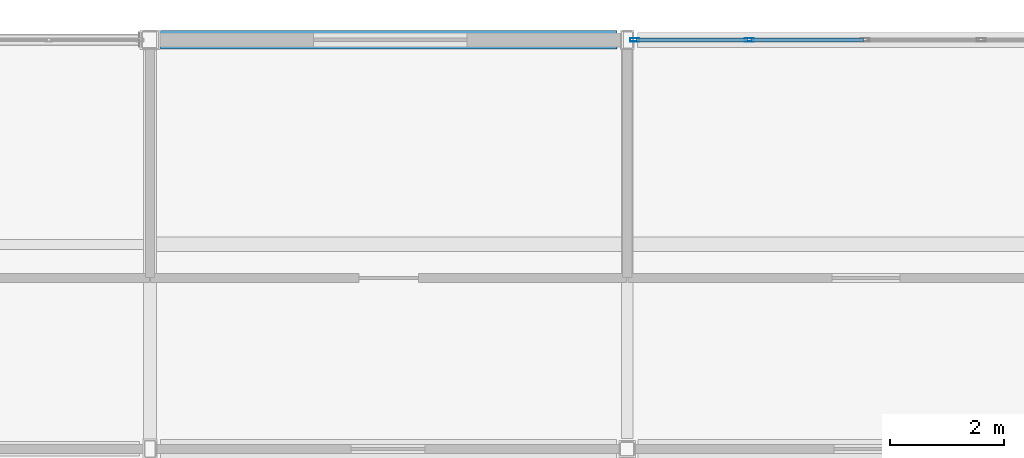
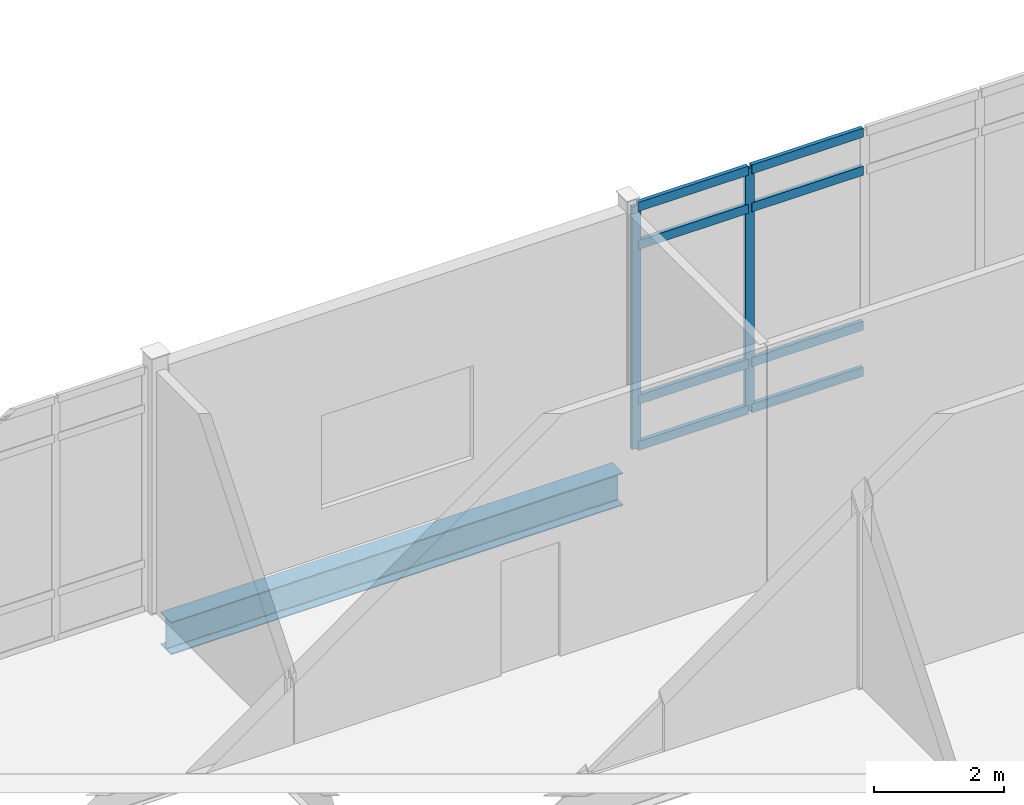
# One storey, part 68 of 153: 10 members, 1 beam, 1 element without a shape of its own.
"""IFC4 building model written with IfcOpenShell, lengths in metres."""

from ifc_helpers import new_model, si_unit, direction, frame, origin, origin_2d, place, context, subcontext, project, spatial, hollow_rectangle, i_section, extrude, material, layer, layer_set, material_profile, profile_set, type_object, element, aggregate, save


model = new_model("IFC4")

# Units and contexts
model_context = context("Model", 3, precision=1e-05, world=origin(), true_north=direction((0.0, 1.0)))
body_context = subcontext(model_context, "Body", "Model", "MODEL_VIEW")
ifc_project = project(units=[si_unit("LENGTHUNIT", "METRE"), si_unit("AREAUNIT", "SQUARE_METRE"), si_unit("VOLUMEUNIT", "CUBIC_METRE"), si_unit("PLANEANGLEUNIT", "RADIAN"), si_unit("MASSUNIT", "GRAM", prefix="KILO")], contexts=[model_context])

# Site, building, storey
site_placement = place(None, origin())
site = spatial("IfcSite", under=ifc_project, at=site_placement, CompositionType="ELEMENT")
building_placement = place(site_placement, origin())
building = spatial("IfcBuilding", under=site, at=building_placement, Name="Calvrana Isthmian Art Gallery", CompositionType="ELEMENT")
storey_placement = place(building_placement, frame((0.0, 0.0, 10.199951171875)))
storey = spatial("IfcBuildingStorey", under=building, at=storey_placement, Name="L02", CompositionType="ELEMENT", Elevation=10.199951171875)

# Beam
ifc_material_1 = material(Name="Steel ASTM A992 Gr 50", Category="steel")
ifc_material_profile_1 = material_profile(ifc_material_1, i_section(OverallWidth=0.324951171875, OverallDepth=0.612060546875, WebThickness=0.0126953125, FlangeThickness=0.01904296875, FilletRadius=0.02197265625, at=origin_2d()), Name="W24X104")
ifc_profile_set_1 = profile_set([ifc_material_profile_1], Name="Steel ASTM A992 Gr 50")
beam_type = type_object("IfcBeamType", Name="BM-G-W24X104", PredefinedType="BEAM", material=ifc_profile_set_1)
beam_placement = place(storey_placement, frame((30.185546875, 112.800048828125, -0.571044921875), z_axis=(1.0, 0.0, 0.0), x_axis=(0.0, 1.0, 0.0)))
element("IfcBeam", 1, at=beam_placement, inside=storey, type_object=beam_type, Name="Girder X L02 05-06/P", PredefinedType="BEAM", context=body_context, shape_type="SweptSolid", body=[
    extrude(i_section(OverallWidth=0.324951171875, OverallDepth=0.612060546875, WebThickness=0.0126953125, FlangeThickness=0.01904296875, FilletRadius=0.02197265625, at=origin_2d()), origin(), (0.0, 0.0, 1.0), 8.030517578125),
])

# Curtain wall, members
ifc_material_2 = material(Name="Anodized bronze aluminium 6063-T6", Category="aluminium")
ifc_layer = layer(ifc_material_2, 0.179931640625, Name="Anodized bronze aluminium 6063-T6")
ifc_layer_set = layer_set([ifc_layer], Name="Anodized bronze aluminium 6063-T6")
curtain_wall_type = type_object("IfcCurtainWallType", Name="CW-UNIT-082X46", PredefinedType="USERDEFINED", material=ifc_layer_set)
curtain_wall_placement = place(storey_placement, origin())
curtain_wall = element("IfcCurtainWall", 2, at=curtain_wall_placement, inside=storey, type_object=curtain_wall_type, Name="Curtain wall CW-163", ObjectType="UNITISED CURTAIN WALL", PredefinedType="USERDEFINED")
ifc_material_profile_2 = material_profile(ifc_material_2, hollow_rectangle(XDim=0.06005859375, YDim=0.159912109375, WallThickness=0.00390625, at=origin_2d()), Name="CWM60X160")
ifc_profile_set_2 = profile_set([ifc_material_profile_2], Name="Anodized bronze aluminium 6063-T6")
member_type_1 = type_object("IfcMemberType", Name="CWM-CWM60X160", PredefinedType="MULLION", material=ifc_profile_set_2)
member_1_placement = place(storey_placement, frame((38.531494140625, 112.800048828125, 0.0), z_axis=(0.0, 0.0, 1.0), x_axis=(0.0, 1.0, 0.0)))
member_1 = element("IfcMember", 3, at=member_1_placement, type_object=member_type_1, Name="CW-163 mullion 1", PredefinedType="MULLION", context=body_context, shape_type="SweptSolid", body=[
    extrude(hollow_rectangle(XDim=0.06005859375, YDim=0.159912109375, WallThickness=0.00390625, at=origin_2d()), origin(), (0.0, 0.0, 1.0), 4.56005859375),
])
member_2_placement = place(storey_placement, frame((40.54443359375, 112.800048828125, 0.0), z_axis=(0.0, 0.0, 1.0), x_axis=(0.0, 1.0, 0.0)))
member_2 = element("IfcMember", 4, at=member_2_placement, type_object=member_type_1, Name="CW-163 mullion 2", PredefinedType="MULLION", context=body_context, shape_type="SweptSolid", body=[
    extrude(hollow_rectangle(XDim=0.06005859375, YDim=0.159912109375, WallThickness=0.00390625, at=origin_2d()), origin(), (0.0, 0.0, 1.0), 4.56005859375),
])
ifc_material_profile_3 = material_profile(ifc_material_2, hollow_rectangle(XDim=0.070068359375, YDim=0.169921875, WallThickness=0.00439453125, at=origin_2d()), Name="CWT70X170")
ifc_profile_set_3 = profile_set([ifc_material_profile_3], Name="Anodized bronze aluminium 6063-T6")
member_type_2 = type_object("IfcMemberType", Name="CWT-CWT70X170", PredefinedType="USERDEFINED", material=ifc_profile_set_3)
member_3_placement = place(storey_placement, frame((38.5615234375, 112.800048828125, 0.03515625), z_axis=(1.0, 0.0, 0.0), x_axis=(0.0, 1.0, 0.0)))
member_3 = element("IfcMember", 5, at=member_3_placement, type_object=member_type_2, Name="CW-163 transom 1.1", ObjectType="TRANSOM", PredefinedType="USERDEFINED", context=body_context, shape_type="SweptSolid", body=[
    extrude(hollow_rectangle(XDim=0.070068359375, YDim=0.169921875, WallThickness=0.00439453125, at=origin_2d()), origin(), (0.0, 0.0, 1.0), 1.952880859375),
])
member_4_placement = place(storey_placement, frame((38.5615234375, 112.800048828125, 0.900146484375), z_axis=(1.0, 0.0, 0.0), x_axis=(0.0, 1.0, 0.0)))
member_4 = element("IfcMember", 6, at=member_4_placement, type_object=member_type_2, Name="CW-163 transom 1.2", ObjectType="TRANSOM", PredefinedType="USERDEFINED", context=body_context, shape_type="SweptSolid", body=[
    extrude(hollow_rectangle(XDim=0.070068359375, YDim=0.169921875, WallThickness=0.00439453125, at=origin_2d()), origin(), (0.0, 0.0, 1.0), 1.952880859375),
])
member_5_placement = place(storey_placement, frame((38.5615234375, 112.800048828125, 3.81005859375), z_axis=(1.0, 0.0, 0.0), x_axis=(0.0, 1.0, 0.0)))
member_5 = element("IfcMember", 7, at=member_5_placement, type_object=member_type_2, Name="CW-163 transom 1.3", ObjectType="TRANSOM", PredefinedType="USERDEFINED", context=body_context, shape_type="SweptSolid", body=[
    extrude(hollow_rectangle(XDim=0.070068359375, YDim=0.169921875, WallThickness=0.00439453125, at=origin_2d()), origin(), (0.0, 0.0, 1.0), 1.952880859375),
])
member_6_placement = place(storey_placement, frame((38.5615234375, 112.800048828125, 4.525146484375), z_axis=(1.0, 0.0, 0.0), x_axis=(0.0, 1.0, 0.0)))
member_6 = element("IfcMember", 8, at=member_6_placement, type_object=member_type_2, Name="CW-163 transom 1.4", ObjectType="TRANSOM", PredefinedType="USERDEFINED", context=body_context, shape_type="SweptSolid", body=[
    extrude(hollow_rectangle(XDim=0.070068359375, YDim=0.169921875, WallThickness=0.00439453125, at=origin_2d()), origin(), (0.0, 0.0, 1.0), 1.952880859375),
])
member_7_placement = place(storey_placement, frame((40.574462890625, 112.800048828125, 0.03515625), z_axis=(1.0, 0.0, 0.0), x_axis=(0.0, 1.0, 0.0)))
member_7 = element("IfcMember", 9, at=member_7_placement, type_object=member_type_2, Name="CW-163 transom 2.1", ObjectType="TRANSOM", PredefinedType="USERDEFINED", context=body_context, shape_type="SweptSolid", body=[
    extrude(hollow_rectangle(XDim=0.070068359375, YDim=0.169921875, WallThickness=0.00439453125, at=origin_2d()), origin(), (0.0, 0.0, 1.0), 1.98291015625),
])
member_8_placement = place(storey_placement, frame((40.574462890625, 112.800048828125, 0.900146484375), z_axis=(1.0, 0.0, 0.0), x_axis=(0.0, 1.0, 0.0)))
member_8 = element("IfcMember", 10, at=member_8_placement, type_object=member_type_2, Name="CW-163 transom 2.2", ObjectType="TRANSOM", PredefinedType="USERDEFINED", context=body_context, shape_type="SweptSolid", body=[
    extrude(hollow_rectangle(XDim=0.070068359375, YDim=0.169921875, WallThickness=0.00439453125, at=origin_2d()), origin(), (0.0, 0.0, 1.0), 1.98291015625),
])
member_9_placement = place(storey_placement, frame((40.574462890625, 112.800048828125, 3.81005859375), z_axis=(1.0, 0.0, 0.0), x_axis=(0.0, 1.0, 0.0)))
member_9 = element("IfcMember", 11, at=member_9_placement, type_object=member_type_2, Name="CW-163 transom 2.3", ObjectType="TRANSOM", PredefinedType="USERDEFINED", context=body_context, shape_type="SweptSolid", body=[
    extrude(hollow_rectangle(XDim=0.070068359375, YDim=0.169921875, WallThickness=0.00439453125, at=origin_2d()), origin(), (0.0, 0.0, 1.0), 1.98291015625),
])
member_10_placement = place(storey_placement, frame((40.574462890625, 112.800048828125, 4.525146484375), z_axis=(1.0, 0.0, 0.0), x_axis=(0.0, 1.0, 0.0)))
member_10 = element("IfcMember", 12, at=member_10_placement, type_object=member_type_2, Name="CW-163 transom 2.4", ObjectType="TRANSOM", PredefinedType="USERDEFINED", context=body_context, shape_type="SweptSolid", body=[
    extrude(hollow_rectangle(XDim=0.070068359375, YDim=0.169921875, WallThickness=0.00439453125, at=origin_2d()), origin(), (0.0, 0.0, 1.0), 1.98291015625),
])
aggregate(curtain_wall, [member_1, member_2, member_3, member_4, member_5, member_6, member_7, member_8, member_9, member_10])

save(model, "model.ifc")
